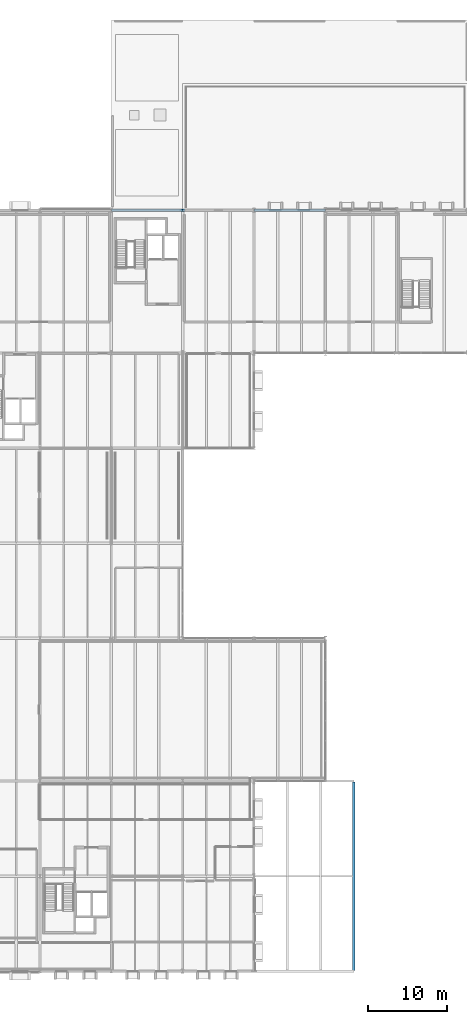
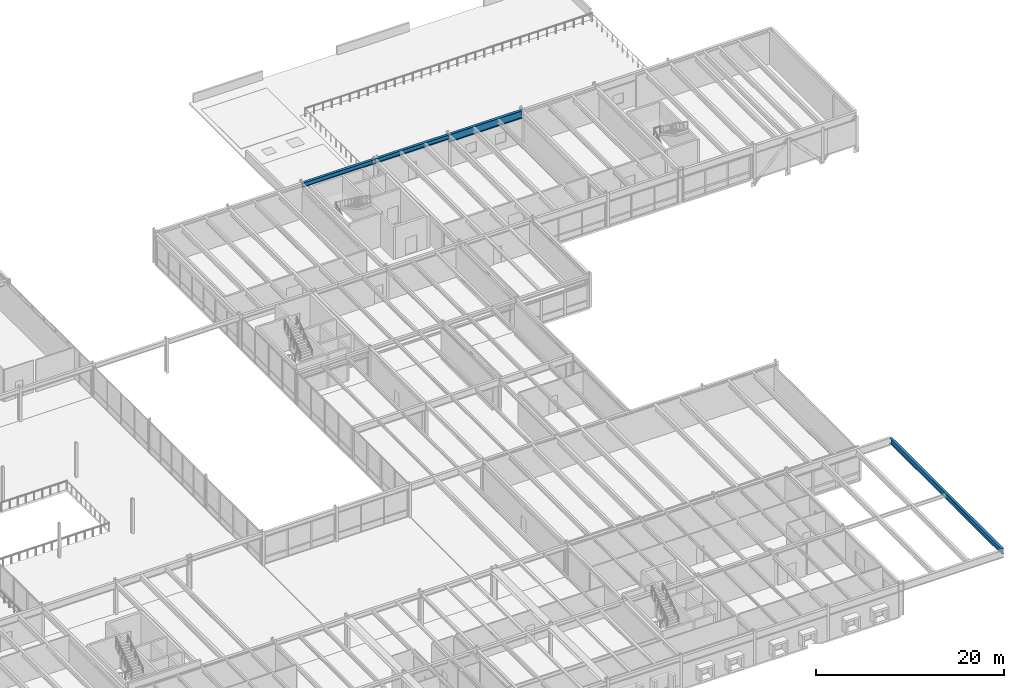
# One storey, part 85 of 115: 4 beams.
"""IFC4 building model written with IfcOpenShell, lengths in metres."""

from ifc_helpers import new_model, si_unit, direction, frame, origin, origin_2d, place, context, subcontext, project, spatial, i_section, extrude, material, material_profile, profile_set, type_object, element, save


model = new_model("IFC4")

# Units and contexts
model_context = context("Model", 3, precision=1e-05, world=origin(), true_north=direction((0.0, 1.0)))
body_context = subcontext(model_context, "Body", "Model", "MODEL_VIEW")
ifc_project = project(units=[si_unit("LENGTHUNIT", "METRE"), si_unit("AREAUNIT", "SQUARE_METRE"), si_unit("VOLUMEUNIT", "CUBIC_METRE"), si_unit("PLANEANGLEUNIT", "RADIAN"), si_unit("MASSUNIT", "GRAM", prefix="KILO")], contexts=[model_context])

# Site, building, storey
site_placement = place(None, origin())
site = spatial("IfcSite", under=ifc_project, at=site_placement, CompositionType="ELEMENT")
building_placement = place(site_placement, origin())
building = spatial("IfcBuilding", under=site, at=building_placement, Name="Montelvaro Courts of Justice", CompositionType="ELEMENT")
storey_placement = place(building_placement, frame((0.0, 0.0, 9.89990234375)))
storey = spatial("IfcBuildingStorey", under=building, at=storey_placement, Name="L02", CompositionType="ELEMENT", Elevation=9.89990234375)

# Beams
ifc_material = material(Name="Steel S355", Category="steel")
ifc_material_profile_1 = material_profile(ifc_material, i_section(OverallWidth=0.300048828125, OverallDepth=0.590087890625, WebThickness=0.012939453125, FlangeThickness=0.02490234375, at=origin_2d()), Name="HEA 600")
ifc_profile_set_1 = profile_set([ifc_material_profile_1], Name="Steel S355")
beam_type_1 = type_object("IfcBeamType", Name="Beam_HEA600", PredefinedType="USERDEFINED", material=ifc_profile_set_1)
for number, where, z_axis, x_axis, name in (
    (1, (117.0, 96.0, 3.905029296875), (1.0, 0.0, 0.0), (0.0, 1.0, 0.0), "Beam B-21 L02"),
    (2, (126.0, 96.0, 3.905029296875), (1.0, 0.0, 0.0), (0.0, 1.0, 0.0), "Beam B-21 L02"),
):
    element("IfcBeam", number, at=place(storey_placement, frame(where, z_axis=z_axis, x_axis=x_axis)), inside=storey, type_object=beam_type_1, Name=name, ObjectType="GIRDER", PredefinedType="USERDEFINED", context=body_context, shape_type="SweptSolid", body=[
        extrude(i_section(OverallWidth=0.300048828125, OverallDepth=0.590087890625, WebThickness=0.012939453125, FlangeThickness=0.02490234375, at=origin_2d()), origin(), (0.0, 0.0, 1.0), 9.0),
    ])
ifc_material_profile_2 = material_profile(ifc_material, i_section(OverallWidth=0.300048828125, OverallDepth=0.699951171875, WebThickness=0.01708984375, FlangeThickness=0.031982421875, at=origin_2d()), Name="HEB 700")
ifc_profile_set_2 = profile_set([ifc_material_profile_2], Name="Steel S355")
beam_type_2 = type_object("IfcBeamType", Name="Beam_HEB700", PredefinedType="USERDEFINED", material=ifc_profile_set_2)
beam_1_placement = place(storey_placement, frame((147.60009765625, 0.110107421875, 3.830078125), z_axis=(0.0, 1.0, 0.0), x_axis=(-1.0, 0.0, 0.0)))
element("IfcBeam", 3, at=beam_1_placement, inside=storey, type_object=beam_type_2, Name="Beam B-28 L02", ObjectType="GIRDER", PredefinedType="USERDEFINED", context=body_context, shape_type="SweptSolid", body=[
    extrude(i_section(OverallWidth=0.300048828125, OverallDepth=0.699951171875, WebThickness=0.01708984375, FlangeThickness=0.031982421875, at=origin_2d()), origin(), (0.0, 0.0, 1.0), 23.77978515625),
])
ifc_material_profile_3 = material_profile(ifc_material, i_section(OverallWidth=0.302001953125, OverallDepth=1.008056640625, WebThickness=0.02099609375, FlangeThickness=0.0400390625, at=origin_2d()), Name="HEM 1000")
ifc_profile_set_3 = profile_set([ifc_material_profile_3], Name="Steel S355")
beam_type_3 = type_object("IfcBeamType", Name="Beam_HEM1000", PredefinedType="USERDEFINED", material=ifc_profile_set_3)
beam_2_placement = place(storey_placement, frame((135.0, 96.0, 3.696044921875), z_axis=(1.0, 0.0, 0.0), x_axis=(0.0, 1.0, 0.0)))
element("IfcBeam", 4, at=beam_2_placement, inside=storey, type_object=beam_type_3, Name="Pratt Cantilever Truss Chord CTR-V2-N-L03-BS1", ObjectType="GIRDER", PredefinedType="USERDEFINED", context=body_context, shape_type="SweptSolid", body=[
    extrude(i_section(OverallWidth=0.302001953125, OverallDepth=1.008056640625, WebThickness=0.02099609375, FlangeThickness=0.0400390625, at=origin_2d()), origin(), (0.0, 0.0, 1.0), 9.0),
])

save(model, "model.ifc")
